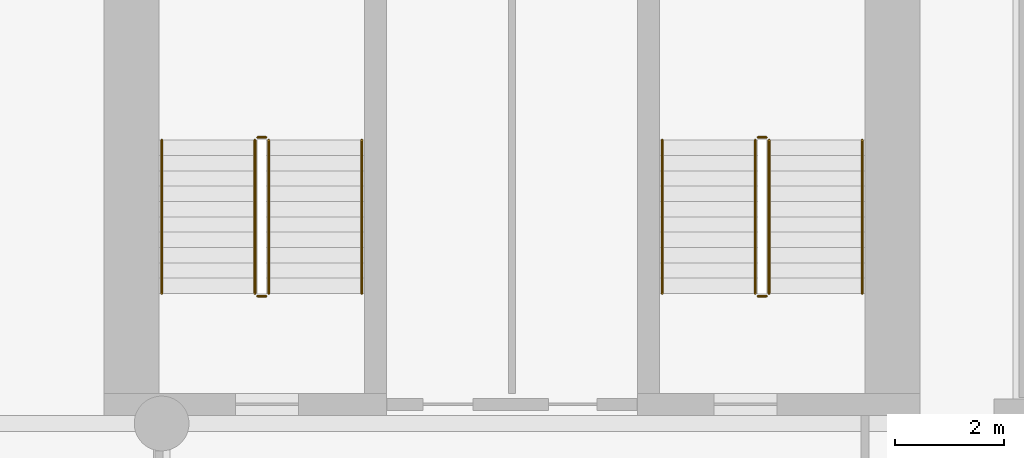
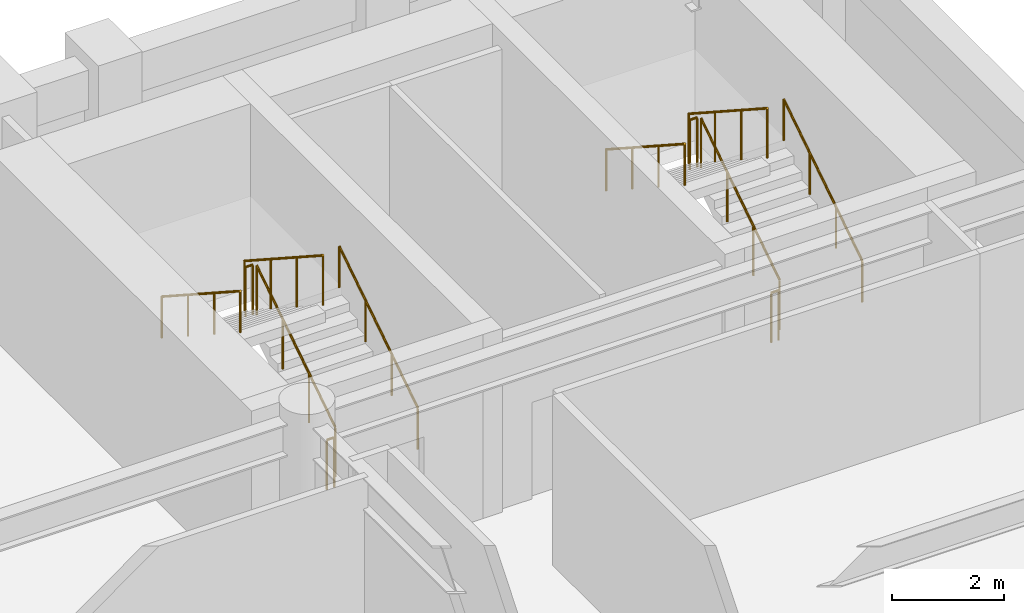
# One storey, part 11 of 11: 12 railings.
"""IFC4 building model written with IfcOpenShell, lengths in metres."""

from ifc_helpers import new_model, si_unit, direction, frame, origin, origin_2d, place, context, subcontext, project, spatial, circle, extrude, material, type_object, element, save


model = new_model("IFC4")

# Units and contexts
model_context = context("Model", 3, precision=1e-05, world=origin(), true_north=direction((0.0, 1.0)))
body_context = subcontext(model_context, "Body", "Model", "MODEL_VIEW")
ifc_project = project(units=[si_unit("LENGTHUNIT", "METRE"), si_unit("AREAUNIT", "SQUARE_METRE"), si_unit("VOLUMEUNIT", "CUBIC_METRE"), si_unit("PLANEANGLEUNIT", "RADIAN"), si_unit("MASSUNIT", "GRAM", prefix="KILO")], contexts=[model_context])

# Site, building, storey
site_placement = place(None, origin())
site = spatial("IfcSite", under=ifc_project, at=site_placement, CompositionType="ELEMENT")
building_placement = place(site_placement, origin())
building = spatial("IfcBuilding", under=site, at=building_placement, Name="Sulina Concourse Tower", CompositionType="ELEMENT")
storey_placement = place(building_placement, frame((0.0, 0.0, 46.60009765625)))
storey = spatial("IfcBuildingStorey", under=building, at=storey_placement, Name="L11", CompositionType="ELEMENT", Elevation=46.60009765625)

# Railings
ifc_material_1 = material(Name="Galvanised steel railing", Category="steel")
railing_type_1 = type_object("IfcRailingType", Name="Core Stair Steel Guardrail 1150mm", PredefinedType="GUARDRAIL", material=ifc_material_1)
railing_1_placement = place(storey_placement, frame((43.554931640625, 36.375, 0.181640625)))
element("IfcRailing", 1, at=railing_1_placement, inside=storey, type_object=railing_type_1, Name="L11 ST-3 stair guard 1", PredefinedType="GUARDRAIL", context=body_context, shape_type="SweptSolid", body=[
    extrude(circle(Radius=0.02392578125, at=origin_2d()), frame((0.0, 0.0, 1.076171875), z_axis=(0.0, 0.838672427954, 0.544636170843), x_axis=(-1.0, 0.0, 0.0)), (0.0, 0.0, 1.0), 3.338623046875),
    extrude(circle(Radius=0.02099609375, at=origin_2d()), origin(), (0.0, 0.0, 1.0), 1.052001953125),
    extrude(circle(Radius=0.02099609375, at=origin_2d()), frame((0.0, 0.933349609375, 0.606201171875)), (0.0, 0.0, 1.0), 1.052001953125),
    extrude(circle(Radius=0.02099609375, at=origin_2d()), frame((0.0, 1.86669921875, 1.212158203125)), (0.0, 0.0, 1.0), 1.052001953125),
    extrude(circle(Radius=0.02099609375, at=origin_2d()), frame((0.0, 2.800048828125, 1.818359375)), (0.0, 0.0, 1.0), 1.052001953125),
])
railing_2_placement = place(storey_placement, frame((43.5048828125, 39.22509765625, 2.0)))
element("IfcRailing", 2, at=railing_2_placement, inside=storey, type_object=railing_type_1, Name="L11 ST-3 stair guard 2", PredefinedType="GUARDRAIL", context=body_context, shape_type="SweptSolid", body=[
    extrude(circle(Radius=0.02392578125, at=origin_2d()), frame((0.0, 0.0, 1.076171875), z_axis=(-1.0, 0.0, 0.0), x_axis=(0.0, -1.0, 0.0)), (0.0, 0.0, 1.0), 0.14990234375),
    extrude(circle(Radius=0.02099609375, at=origin_2d()), origin(), (0.0, 0.0, 1.0), 1.052001953125),
    extrude(circle(Radius=0.02099609375, at=origin_2d()), frame((-0.14990234375, 0.0, 0.0)), (0.0, 0.0, 1.0), 1.052001953125),
])
railing_3_placement = place(storey_placement, frame((43.304931640625, 39.175048828125, 2.181640625)))
element("IfcRailing", 3, at=railing_3_placement, inside=storey, type_object=railing_type_1, Name="L11 ST-3 stair guard 3", PredefinedType="GUARDRAIL", context=body_context, shape_type="SweptSolid", body=[
    extrude(circle(Radius=0.02392578125, at=origin_2d()), frame((0.0, 0.0, 1.076171875), z_axis=(0.0, -0.838672427954, 0.544636170843), x_axis=(1.0, 0.0, 0.0)), (0.0, 0.0, 1.0), 3.338623046875),
    extrude(circle(Radius=0.02099609375, at=origin_2d()), origin(), (0.0, 0.0, 1.0), 1.052001953125),
    extrude(circle(Radius=0.02099609375, at=origin_2d()), frame((0.0, -0.933349609375, 0.606201171875)), (0.0, 0.0, 1.0), 1.052001953125),
    extrude(circle(Radius=0.02099609375, at=origin_2d()), frame((0.0, -1.86669921875, 1.212158203125)), (0.0, 0.0, 1.0), 1.052001953125),
    extrude(circle(Radius=0.02099609375, at=origin_2d()), frame((0.0, -2.800048828125, 1.818359375)), (0.0, 0.0, 1.0), 1.052001953125),
])
railing_4_placement = place(storey_placement, frame((43.5048828125, 36.324951171875, 0.0)))
element("IfcRailing", 4, at=railing_4_placement, inside=storey, type_object=railing_type_1, Name="L11 ST-3 stair guard 4", PredefinedType="GUARDRAIL", context=body_context, shape_type="SweptSolid", body=[
    extrude(circle(Radius=0.02392578125, at=origin_2d()), frame((0.0, 0.0, 1.076171875), z_axis=(-1.0, 0.0, 0.0), x_axis=(0.0, -1.0, 0.0)), (0.0, 0.0, 1.0), 0.14990234375),
    extrude(circle(Radius=0.02099609375, at=origin_2d()), origin(), (0.0, 0.0, 1.0), 1.052001953125),
    extrude(circle(Radius=0.02099609375, at=origin_2d()), frame((-0.14990234375, 0.0, 0.0)), (0.0, 0.0, 1.0), 1.052001953125),
])
railing_5_placement = place(storey_placement, frame((52.695068359375, 36.375, 0.181640625)))
element("IfcRailing", 5, at=railing_5_placement, inside=storey, type_object=railing_type_1, Name="L11 ST-4 stair guard 1", PredefinedType="GUARDRAIL", context=body_context, shape_type="SweptSolid", body=[
    extrude(circle(Radius=0.02392578125, at=origin_2d()), frame((0.0, 0.0, 1.076171875), z_axis=(0.0, 0.838672427954, 0.544636170843), x_axis=(-1.0, 0.0, 0.0)), (0.0, 0.0, 1.0), 3.338623046875),
    extrude(circle(Radius=0.02099609375, at=origin_2d()), origin(), (0.0, 0.0, 1.0), 1.052001953125),
    extrude(circle(Radius=0.02099609375, at=origin_2d()), frame((0.0, 0.933349609375, 0.606201171875)), (0.0, 0.0, 1.0), 1.052001953125),
    extrude(circle(Radius=0.02099609375, at=origin_2d()), frame((0.0, 1.86669921875, 1.212158203125)), (0.0, 0.0, 1.0), 1.052001953125),
    extrude(circle(Radius=0.02099609375, at=origin_2d()), frame((0.0, 2.800048828125, 1.818359375)), (0.0, 0.0, 1.0), 1.052001953125),
])
railing_6_placement = place(storey_placement, frame((52.64501953125, 39.22509765625, 2.0)))
element("IfcRailing", 6, at=railing_6_placement, inside=storey, type_object=railing_type_1, Name="L11 ST-4 stair guard 2", PredefinedType="GUARDRAIL", context=body_context, shape_type="SweptSolid", body=[
    extrude(circle(Radius=0.02392578125, at=origin_2d()), frame((0.0, 0.0, 1.076171875), z_axis=(-1.0, 0.0, 0.0), x_axis=(0.0, -1.0, 0.0)), (0.0, 0.0, 1.0), 0.14990234375),
    extrude(circle(Radius=0.02099609375, at=origin_2d()), origin(), (0.0, 0.0, 1.0), 1.052001953125),
    extrude(circle(Radius=0.02099609375, at=origin_2d()), frame((-0.14990234375, 0.0, 0.0)), (0.0, 0.0, 1.0), 1.052001953125),
])
railing_7_placement = place(storey_placement, frame((52.445068359375, 39.175048828125, 2.181640625)))
element("IfcRailing", 7, at=railing_7_placement, inside=storey, type_object=railing_type_1, Name="L11 ST-4 stair guard 3", PredefinedType="GUARDRAIL", context=body_context, shape_type="SweptSolid", body=[
    extrude(circle(Radius=0.02392578125, at=origin_2d()), frame((0.0, 0.0, 1.076171875), z_axis=(0.0, -0.838672427954, 0.544636170843), x_axis=(1.0, 0.0, 0.0)), (0.0, 0.0, 1.0), 3.338623046875),
    extrude(circle(Radius=0.02099609375, at=origin_2d()), origin(), (0.0, 0.0, 1.0), 1.052001953125),
    extrude(circle(Radius=0.02099609375, at=origin_2d()), frame((0.0, -0.933349609375, 0.606201171875)), (0.0, 0.0, 1.0), 1.052001953125),
    extrude(circle(Radius=0.02099609375, at=origin_2d()), frame((0.0, -1.86669921875, 1.212158203125)), (0.0, 0.0, 1.0), 1.052001953125),
    extrude(circle(Radius=0.02099609375, at=origin_2d()), frame((0.0, -2.800048828125, 1.818359375)), (0.0, 0.0, 1.0), 1.052001953125),
])
railing_8_placement = place(storey_placement, frame((52.64501953125, 36.324951171875, 0.0)))
element("IfcRailing", 8, at=railing_8_placement, inside=storey, type_object=railing_type_1, Name="L11 ST-4 stair guard 4", PredefinedType="GUARDRAIL", context=body_context, shape_type="SweptSolid", body=[
    extrude(circle(Radius=0.02392578125, at=origin_2d()), frame((0.0, 0.0, 1.076171875), z_axis=(-1.0, 0.0, 0.0), x_axis=(0.0, -1.0, 0.0)), (0.0, 0.0, 1.0), 0.14990234375),
    extrude(circle(Radius=0.02099609375, at=origin_2d()), origin(), (0.0, 0.0, 1.0), 1.052001953125),
    extrude(circle(Radius=0.02099609375, at=origin_2d()), frame((-0.14990234375, 0.0, 0.0)), (0.0, 0.0, 1.0), 1.052001953125),
])
ifc_material_2 = material(Name="Galvanised steel railing", Category="steel")
railing_type_2 = type_object("IfcRailingType", Name="Stair Wall Steel Handrail 920mm", PredefinedType="HANDRAIL", material=ifc_material_2)
railing_9_placement = place(storey_placement, frame((45.2548828125, 36.375, 0.181640625)))
element("IfcRailing", 9, at=railing_9_placement, inside=storey, type_object=railing_type_2, Name="L11 ST-3 stair handrail 1", PredefinedType="HANDRAIL", context=body_context, shape_type="SweptSolid", body=[
    extrude(circle(Radius=0.02392578125, at=origin_2d()), frame((0.0, 0.0, 0.89599609375), z_axis=(0.0, 0.838672427954, 0.544636170843), x_axis=(-1.0, 0.0, 0.0)), (0.0, 0.0, 1.0), 3.338623046875),
    extrude(circle(Radius=0.02099609375, at=origin_2d()), origin(), (0.0, 0.0, 1.0), 0.871826171875),
    extrude(circle(Radius=0.02099609375, at=origin_2d()), frame((0.0, 0.933349609375, 0.606201171875)), (0.0, 0.0, 1.0), 0.871826171875),
    extrude(circle(Radius=0.02099609375, at=origin_2d()), frame((0.0, 1.86669921875, 1.212158203125)), (0.0, 0.0, 1.0), 0.871826171875),
    extrude(circle(Radius=0.02099609375, at=origin_2d()), frame((0.0, 2.800048828125, 1.818359375)), (0.0, 0.0, 1.0), 0.871826171875),
])
railing_10_placement = place(storey_placement, frame((41.60498046875, 39.175048828125, 2.181640625)))
element("IfcRailing", 10, at=railing_10_placement, inside=storey, type_object=railing_type_2, Name="L11 ST-3 stair handrail 2", PredefinedType="HANDRAIL", context=body_context, shape_type="SweptSolid", body=[
    extrude(circle(Radius=0.02392578125, at=origin_2d()), frame((0.0, 0.0, 0.89599609375), z_axis=(0.0, -0.838672427954, 0.544636170843), x_axis=(1.0, 0.0, 0.0)), (0.0, 0.0, 1.0), 3.338623046875),
    extrude(circle(Radius=0.02099609375, at=origin_2d()), origin(), (0.0, 0.0, 1.0), 0.871826171875),
    extrude(circle(Radius=0.02099609375, at=origin_2d()), frame((0.0, -0.933349609375, 0.606201171875)), (0.0, 0.0, 1.0), 0.871826171875),
    extrude(circle(Radius=0.02099609375, at=origin_2d()), frame((0.0, -1.86669921875, 1.212158203125)), (0.0, 0.0, 1.0), 0.871826171875),
    extrude(circle(Radius=0.02099609375, at=origin_2d()), frame((0.0, -2.800048828125, 1.818359375)), (0.0, 0.0, 1.0), 0.871826171875),
])
railing_11_placement = place(storey_placement, frame((54.39501953125, 36.375, 0.181640625)))
element("IfcRailing", 11, at=railing_11_placement, inside=storey, type_object=railing_type_2, Name="L11 ST-4 stair handrail 1", PredefinedType="HANDRAIL", context=body_context, shape_type="SweptSolid", body=[
    extrude(circle(Radius=0.02392578125, at=origin_2d()), frame((0.0, 0.0, 0.89599609375), z_axis=(0.0, 0.838672427954, 0.544636170843), x_axis=(-1.0, 0.0, 0.0)), (0.0, 0.0, 1.0), 3.338623046875),
    extrude(circle(Radius=0.02099609375, at=origin_2d()), origin(), (0.0, 0.0, 1.0), 0.871826171875),
    extrude(circle(Radius=0.02099609375, at=origin_2d()), frame((0.0, 0.933349609375, 0.606201171875)), (0.0, 0.0, 1.0), 0.871826171875),
    extrude(circle(Radius=0.02099609375, at=origin_2d()), frame((0.0, 1.86669921875, 1.212158203125)), (0.0, 0.0, 1.0), 0.871826171875),
    extrude(circle(Radius=0.02099609375, at=origin_2d()), frame((0.0, 2.800048828125, 1.818359375)), (0.0, 0.0, 1.0), 0.871826171875),
])
railing_12_placement = place(storey_placement, frame((50.7451171875, 39.175048828125, 2.181640625)))
element("IfcRailing", 12, at=railing_12_placement, inside=storey, type_object=railing_type_2, Name="L11 ST-4 stair handrail 2", PredefinedType="HANDRAIL", context=body_context, shape_type="SweptSolid", body=[
    extrude(circle(Radius=0.02392578125, at=origin_2d()), frame((0.0, 0.0, 0.89599609375), z_axis=(0.0, -0.838672427954, 0.544636170843), x_axis=(1.0, 0.0, 0.0)), (0.0, 0.0, 1.0), 3.338623046875),
    extrude(circle(Radius=0.02099609375, at=origin_2d()), origin(), (0.0, 0.0, 1.0), 0.871826171875),
    extrude(circle(Radius=0.02099609375, at=origin_2d()), frame((0.0, -0.933349609375, 0.606201171875)), (0.0, 0.0, 1.0), 0.871826171875),
    extrude(circle(Radius=0.02099609375, at=origin_2d()), frame((0.0, -1.86669921875, 1.212158203125)), (0.0, 0.0, 1.0), 0.871826171875),
    extrude(circle(Radius=0.02099609375, at=origin_2d()), frame((0.0, -2.800048828125, 1.818359375)), (0.0, 0.0, 1.0), 0.871826171875),
])

save(model, "model.ifc")
